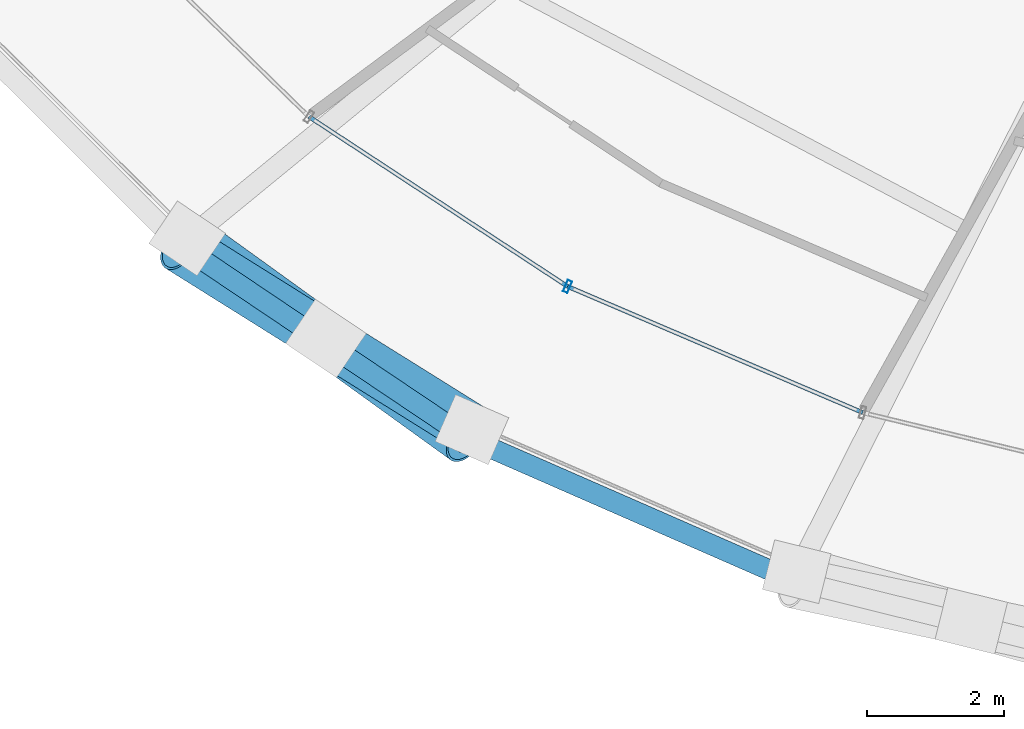
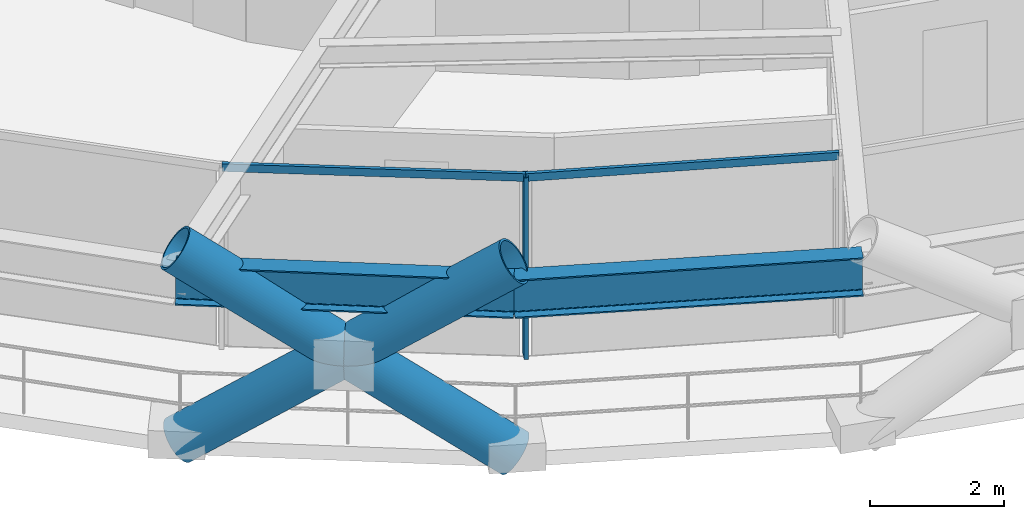
# One storey, part 1 of 17: 6 members, 2 beams, 1 element without a shape of its own.
"""IFC4 building model written with IfcOpenShell, lengths in metres."""

from ifc_helpers import new_model, si_unit, direction, frame, origin, origin_2d, place, context, subcontext, project, spatial, hollow_rectangle, hollow_circle, i_section, extrude, material, layer, layer_set, material_profile, profile_set, type_object, element, aggregate, save


model = new_model("IFC4")

# Units and contexts
model_context = context("Model", 3, precision=1e-05, world=origin(), true_north=direction((0.0, 1.0)))
body_context = subcontext(model_context, "Body", "Model", "MODEL_VIEW")
ifc_project = project(units=[si_unit("LENGTHUNIT", "METRE"), si_unit("AREAUNIT", "SQUARE_METRE"), si_unit("VOLUMEUNIT", "CUBIC_METRE"), si_unit("PLANEANGLEUNIT", "RADIAN"), si_unit("MASSUNIT", "GRAM", prefix="KILO")], contexts=[model_context])

# Site, building, storey
site_placement = place(None, origin())
site = spatial("IfcSite", under=ifc_project, at=site_placement, CompositionType="ELEMENT")
building_placement = place(site_placement, origin())
building = spatial("IfcBuilding", under=site, at=building_placement, Name="Veldorina Hangang Commons", CompositionType="ELEMENT")
storey_placement = place(building_placement, frame((0.0, 0.0, 30.39990234375)))
storey = spatial("IfcBuildingStorey", under=building, at=storey_placement, Name="L06", CompositionType="ELEMENT", Elevation=30.39990234375)

# Beams
ifc_material_1 = material(Name="Steel SM460-TMC", Category="steel")
ifc_material_profile_1 = material_profile(ifc_material_1, i_section(OverallWidth=0.300048828125, OverallDepth=0.699951171875, WebThickness=0.012939453125, FlangeThickness=0.02392578125, FilletRadius=0.02197265625, at=origin_2d()), Name="H-700x300x13x24")
ifc_profile_set_1 = profile_set([ifc_material_profile_1], Name="Steel SM460-TMC")
beam_type = type_object("IfcBeamType", Name="BM-RB700", PredefinedType="BEAM", material=ifc_profile_set_1)
beam_1_placement = place(storey_placement, frame((12.455810546875, 7.991455078125, 2.989990234375), z_axis=(0.829930615335, -0.557866627188, 0.0), x_axis=(0.557866627188, 0.829930615335, 0.0)))
element("IfcBeam", 1, at=beam_1_placement, inside=storey, type_object=beam_type, Name="L06 perimeter hoop ring beam 20", PredefinedType="BEAM", context=body_context, shape_type="SweptSolid", body=[
    extrude(i_section(OverallWidth=0.300048828125, OverallDepth=0.699951171875, WebThickness=0.012939453125, FlangeThickness=0.02392578125, FilletRadius=0.02197265625, at=origin_2d()), origin(), (0.0, 0.0, 1.0), 5.046875),
])
beam_2_placement = place(storey_placement, frame((16.644287109375, 5.176025390625, 2.989990234375), z_axis=(0.916057410829, -0.401047154416, 0.0), x_axis=(0.401047154416, 0.916057410829, 0.0)))
element("IfcBeam", 2, at=beam_2_placement, inside=storey, type_object=beam_type, Name="L06 perimeter hoop ring beam 21", PredefinedType="BEAM", context=body_context, shape_type="SweptSolid", body=[
    extrude(i_section(OverallWidth=0.300048828125, OverallDepth=0.699951171875, WebThickness=0.012939453125, FlangeThickness=0.02392578125, FilletRadius=0.02197265625, at=origin_2d()), origin(), (0.0, 0.0, 1.0), 5.216552734375),
])

# Curtain wall, members
ifc_material_2 = material(Name="Glass Low-E Triple IGU", Category="glass")
ifc_layer = layer(ifc_material_2, 0.179931640625)
ifc_layer_set = layer_set([ifc_layer], Name="Glass Low-E Triple IGU")
curtain_wall_type = type_object("IfcCurtainWallType", Name="CW-SYS-Z1", PredefinedType="NOTDEFINED", material=ifc_layer_set)
curtain_wall_placement = place(storey_placement, origin())
curtain_wall = element("IfcCurtainWall", 3, at=curtain_wall_placement, inside=storey, type_object=curtain_wall_type, Name="L06 unitised curtain wall CW-L06-R1", PredefinedType="NOTDEFINED")
ifc_material_3 = material(Name="Aluminium Anodized AA6063-T6", Category="aluminium")
ifc_material_profile_2 = material_profile(ifc_material_3, hollow_rectangle(XDim=0.070068359375, YDim=0.179931640625, WallThickness=0.00390625, at=origin_2d()), Name="ALU-RHS-180x70x4")
ifc_profile_set_2 = profile_set([ifc_material_profile_2], Name="Aluminium Anodized AA6063-T6")
member_type_1 = type_object("IfcMemberType", Name="CW-MUL-180", PredefinedType="MULLION", material=ifc_profile_set_2)
member_1_placement = place(storey_placement, frame((18.121826171875, 7.38720703125, 0.0), z_axis=(0.0, 0.0, 1.0), x_axis=(0.919499351884, -0.393091518459, 0.0)))
member_1 = element("IfcMember", 4, at=member_1_placement, type_object=member_type_1, Name="CW-L06-R1 vertical mullion 3", PredefinedType="MULLION", context=body_context, shape_type="SweptSolid", body=[
    extrude(hollow_rectangle(XDim=0.070068359375, YDim=0.179931640625, WallThickness=0.00390625, at=origin_2d()), origin(), (0.0, 0.0, 1.0), 3.300048828125),
])
ifc_material_profile_3 = material_profile(ifc_material_3, hollow_rectangle(XDim=0.06005859375, YDim=0.139892578125, WallThickness=0.00341796875, at=origin_2d()), Name="ALU-RHS-140x60x3.5")
ifc_profile_set_3 = profile_set([ifc_material_profile_3], Name="Aluminium Anodized AA6063-T6")
member_type_2 = type_object("IfcMemberType", Name="CW-TRN-140", PredefinedType="USERDEFINED", material=ifc_profile_set_3)
member_2_placement = place(storey_placement, frame((14.33642578125, 9.8720703125, 3.260009765625), z_axis=(0.83597757311, -0.548763607811, 0.0), x_axis=(0.548763607811, 0.83597757311, 0.0)))
member_2 = element("IfcMember", 5, at=member_2_placement, type_object=member_type_2, Name="CW-L06-R1 facet 2 transom 1", ObjectType="TRANSOM", PredefinedType="USERDEFINED", context=body_context, shape_type="SweptSolid", body=[
    extrude(hollow_rectangle(XDim=0.06005859375, YDim=0.139892578125, WallThickness=0.00341796875, at=origin_2d()), origin(), (0.0, 0.0, 1.0), 4.528076171875),
])
member_3_placement = place(storey_placement, frame((18.121826171875, 7.38720703125, 3.260009765625), z_axis=(0.919510280132, -0.393065954684, 0.0), x_axis=(0.393065954684, 0.919510280132, 0.0)))
member_3 = element("IfcMember", 6, at=member_3_placement, type_object=member_type_2, Name="CW-L06-R1 facet 3 transom 1", ObjectType="TRANSOM", PredefinedType="USERDEFINED", context=body_context, shape_type="SweptSolid", body=[
    extrude(hollow_rectangle(XDim=0.06005859375, YDim=0.139892578125, WallThickness=0.00341796875, at=origin_2d()), origin(), (0.0, 0.0, 1.0), 4.697021484375),
])
aggregate(curtain_wall, [member_1, member_2, member_3])

# Members
ifc_material_profile_4 = material_profile(ifc_material_1, hollow_circle(Radius=0.375, WallThickness=0.035888671875, at=origin_2d()), Name="CHS-750x36")
ifc_profile_set_4 = profile_set([ifc_material_profile_4], Name="Steel SM460-TMC")
member_type_3 = type_object("IfcMemberType", Name="DG-CHS750", PredefinedType="BRACE", material=ifc_profile_set_4)
member_4_placement = place(storey_placement, frame((12.5546875, 8.090087890625, 0.0), z_axis=(0.659232130525, -0.475400948496, 0.582586419557), x_axis=(0.584915377594, 0.811094323155, 0.0)))
element("IfcMember", 7, at=member_4_placement, inside=storey, type_object=member_type_3, Name="L06 continuous perimeter diagrid brace 20", PredefinedType="BRACE", context=body_context, shape_type="SweptSolid", body=[
    extrude(hollow_circle(Radius=0.375, WallThickness=0.035888671875, at=origin_2d()), origin(), (0.0, 0.0, 1.0), 6.179443359375),
])
member_5_placement = place(storey_placement, frame((16.7216796875, 5.2919921875, 0.0), z_axis=(-0.690912582279, 0.431346703562, 0.580155000819), x_axis=(-0.529580696123, -0.848259563043, 0.0)))
element("IfcMember", 8, at=member_5_placement, inside=storey, type_object=member_type_3, Name="L06 split perimeter diagrid lower brace 21", PredefinedType="BRACE", context=body_context, shape_type="SweptSolid", body=[
    extrude(hollow_circle(Radius=0.375, WallThickness=0.035888671875, at=origin_2d()), origin(), (0.0, 0.0, 1.0), 3.092529296875),
])
member_6_placement = place(storey_placement, frame((14.5849609375, 6.6259765625, 1.794189453125), z_axis=(-0.690395191587, 0.432212643512, 0.580126460544), x_axis=(-0.530630600317, -0.847603189002, 0.0)))
element("IfcMember", 9, at=member_6_placement, inside=storey, type_object=member_type_3, Name="L06 split perimeter diagrid upper brace 21", PredefinedType="BRACE", context=body_context, shape_type="SweptSolid", body=[
    extrude(hollow_circle(Radius=0.375, WallThickness=0.035888671875, at=origin_2d()), origin(), (0.0, 0.0, 1.0), 3.113037109375),
])

save(model, "model.ifc")
